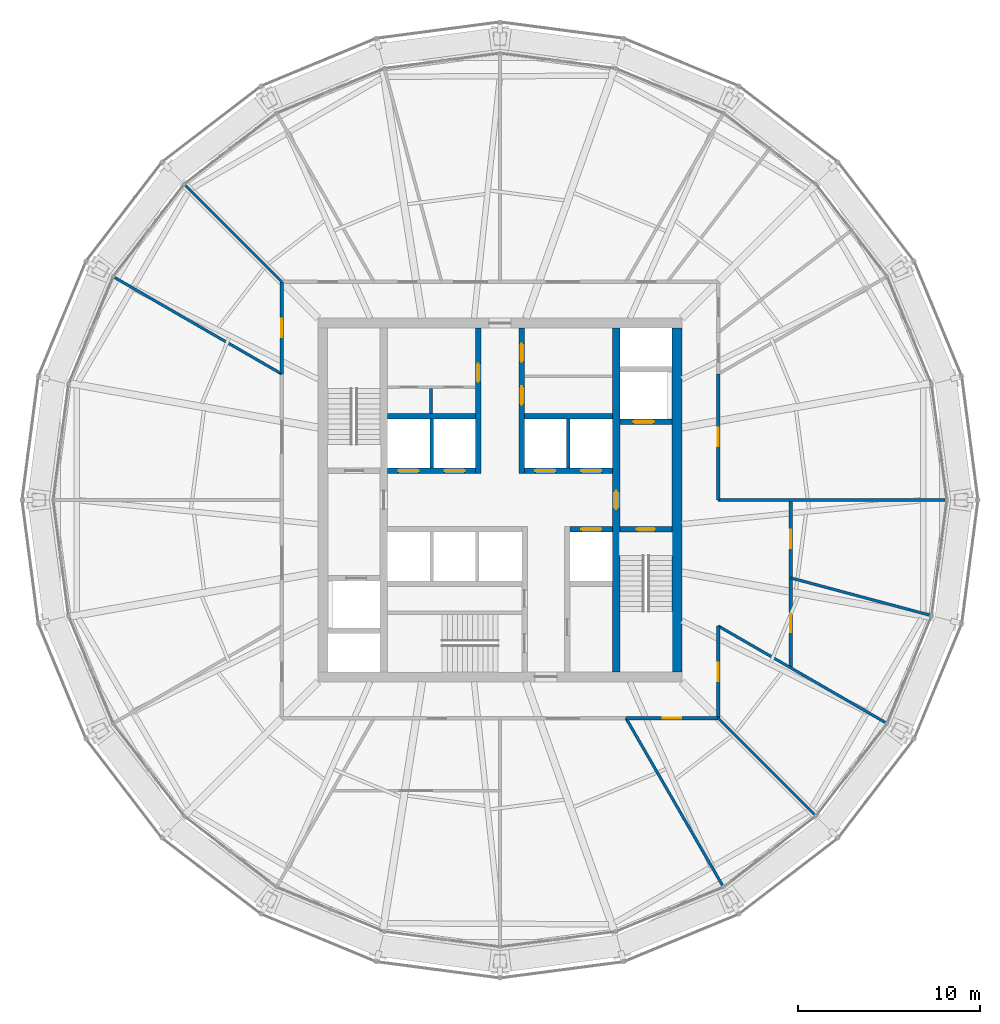
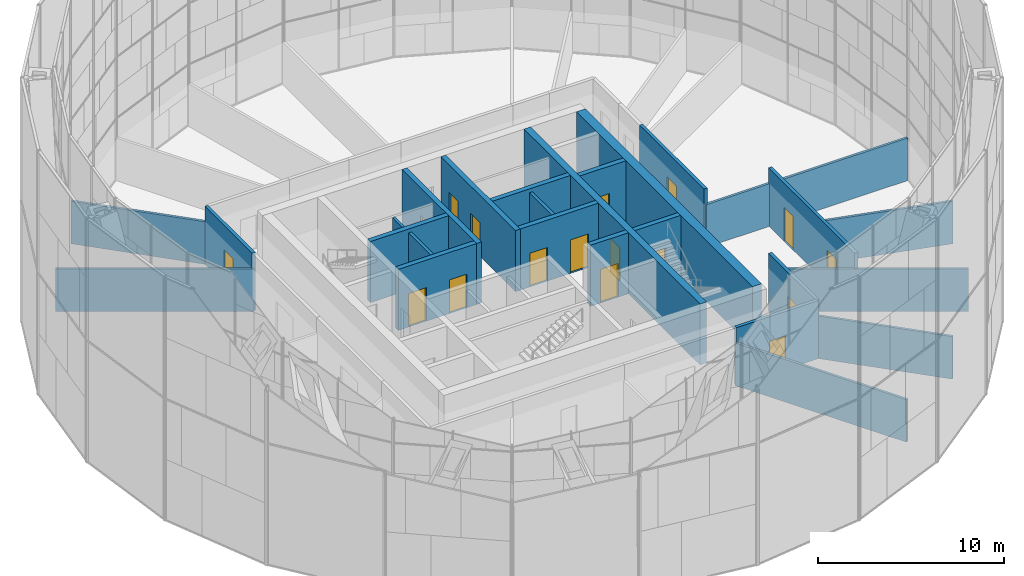
# One storey, part 27 of 30: 26 walls, 17 doors, 17 openings.
"""IFC4 building model written with IfcOpenShell, lengths in metres."""

from ifc_helpers import new_model, si_unit, direction, frame, frame_2d, origin, place, context, subcontext, project, spatial, rectangle, extrude, material, layer, layer_set, type_object, element, fill, save


model = new_model("IFC4")

# Units and contexts
model_context = context("Model", 3, precision=1e-05, world=origin(), true_north=direction((0.0, 1.0)))
body_context = subcontext(model_context, "Body", "Model", "MODEL_VIEW")
ifc_project = project(units=[si_unit("LENGTHUNIT", "METRE"), si_unit("AREAUNIT", "SQUARE_METRE"), si_unit("VOLUMEUNIT", "CUBIC_METRE"), si_unit("PLANEANGLEUNIT", "RADIAN"), si_unit("MASSUNIT", "GRAM", prefix="KILO")], contexts=[model_context])

# Site, building, storey
site_placement = place(None, origin())
site = spatial("IfcSite", under=ifc_project, at=site_placement, CompositionType="ELEMENT")
building_placement = place(site_placement, origin())
building = spatial("IfcBuilding", under=site, at=building_placement, Name="Golbaran Civic Tower", CompositionType="ELEMENT")
storey_placement = place(building_placement, frame((0.0, 0.0, 102.0)))
storey = spatial("IfcBuildingStorey", under=building, at=storey_placement, Name="L24", CompositionType="ELEMENT", Elevation=102.0)

# Wall, opening, door
ifc_material_1 = material(Name="Concrete C50/60", Category="concrete")
ifc_layer_1 = layer(ifc_material_1, 0.39990234375, Name="Concrete C50/60")
ifc_layer_set_1 = layer_set([ifc_layer_1], Name="Concrete C50/60")
wall_type_1 = type_object("IfcWallType", Name="CORE WALL CONCRETE 400", PredefinedType="SOLIDWALL", material=ifc_layer_set_1)
wall_1_placement = place(storey_placement, frame((6.39990234375, 9.449951171875, 0.0), z_axis=(0.0, 0.0, 1.0), x_axis=(0.0, -1.0, 0.0)))
wall_1 = element("IfcWall", 1, at=wall_1_placement, inside=storey, type_object=wall_type_1, Name="Core wall IE L24", PredefinedType="SOLIDWALL", context=body_context, shape_type="SweptSolid", body=[
    extrude(rectangle(XDim=18.89990234375, YDim=0.39990234375, at=frame_2d((9.449951171875, 0.0))), origin(), (0.0, 0.0, 1.0), 4.0),
])
opening_1_placement = place(wall_1_placement, frame((8.949951171875, 0.0, 0.0)))
opening_1 = element("IfcOpeningElement", 2, at=opening_1_placement, cuts=wall_1, Name="Opening L24.FL2", PredefinedType="OPENING", context=body_context, shape_type="SweptSolid", body=[
    extrude(rectangle(XDim=1.0, YDim=2.199951171875, at=frame_2d((0.5, 1.10009765625))), frame((0.0, 0.2099609375, 0.0), z_axis=(0.0, -1.0, 0.0), x_axis=(1.0, 0.0, 0.0)), (0.0, 0.0, 1.0), 0.419921875),
])
ifc_material_2 = material(Name="Timber door set in steel frame", Category="steel")
door_type_1 = type_object("IfcDoorType", Name="STAIR DOOR 1000x2200", OperationType="SINGLE_SWING_LEFT", PredefinedType="DOOR", material=ifc_material_2)
door_1_placement = place(opening_1_placement, origin())
door_1 = element("IfcDoor", 3, at=door_1_placement, inside=storey, type_object=door_type_1, Name="Fire-fighting lobby FL2 door", OperationType="SINGLE_SWING_RIGHT", OverallHeight=2.199951171875, OverallWidth=1.0, PredefinedType="DOOR", context=body_context, shape_type="SweptSolid", body=[
    extrude(rectangle(XDim=1.0, YDim=2.199951171875, at=frame_2d((0.5, 1.10009765625))), frame((0.0, 0.02490234375, 0.0), z_axis=(0.0, -1.0, 0.0), x_axis=(1.0, 0.0, 0.0)), (0.0, 0.0, 1.0), 0.050048828125),
])
fill(opening_1, door_1)

# Wall
ifc_layer_2 = layer(ifc_material_1, 0.550048828125, Name="Concrete C50/60")
ifc_layer_set_2 = layer_set([ifc_layer_2], Name="Concrete C50/60")
wall_type_2 = type_object("IfcWallType", Name="CORE WALL CONCRETE 550", PredefinedType="SOLIDWALL", material=ifc_layer_set_2)
wall_2_placement = place(storey_placement, frame((9.72509765625, -9.449951171875, 0.0), z_axis=(0.0, 0.0, 1.0), x_axis=(0.0, 1.0, 0.0)))
element("IfcWall", 4, at=wall_2_placement, inside=storey, type_object=wall_type_2, Name="Core wall CE L24", PredefinedType="SOLIDWALL", context=body_context, shape_type="SweptSolid", body=[
    extrude(rectangle(XDim=18.89990234375, YDim=0.550048828125, at=frame_2d((9.449951171875, 0.0))), origin(), (0.0, 0.0, 1.0), 4.0),
])

# Wall, opening, door
ifc_material_3 = material(Name="Gypsum board on steel studs, fire-rated", Category="steel")
ifc_layer_3 = layer(ifc_material_3, 0.199951171875, Name="Gypsum board on steel studs, fire-rated")
ifc_layer_set_3 = layer_set([ifc_layer_3], Name="Gypsum board on steel studs, fire-rated")
wall_type_3 = type_object("IfcWallType", Name="CORRIDOR WALL 200", PredefinedType="PARTITIONING", material=ifc_layer_set_3)
wall_3_placement = place(storey_placement, frame((12.0, 0.0, 0.0), z_axis=(0.0, 0.0, 1.0), x_axis=(0.0, 1.0, 0.0)))
wall_3 = element("IfcWall", 5, at=wall_3_placement, inside=storey, type_object=wall_type_3, Name="Corridor wall L24", PredefinedType="PARTITIONING", context=body_context, shape_type="SweptSolid", body=[
    extrude(rectangle(XDim=6.92822265625, YDim=0.199951171875, at=frame_2d((3.464111328125, 0.0))), origin(), (0.0, 0.0, 1.0), 3.800048828125),
])
opening_2_placement = place(wall_3_placement, frame((2.964111328125, 0.0, 0.0)))
opening_2 = element("IfcOpeningElement", 6, at=opening_2_placement, cuts=wall_3, Name="Opening L24.04", PredefinedType="OPENING", context=body_context, shape_type="SweptSolid", body=[
    extrude(rectangle(XDim=1.0, YDim=2.199951171875, at=frame_2d((0.5, 1.10009765625))), frame((0.0, 0.10986328125, 0.0), z_axis=(0.0, -1.0, 0.0), x_axis=(1.0, 0.0, 0.0)), (0.0, 0.0, 1.0), 0.219970703125),
])
door_type_2 = type_object("IfcDoorType", Name="OFFICE DOOR 1000x2200", OperationType="SINGLE_SWING_LEFT", PredefinedType="DOOR", material=ifc_material_2)
door_2_placement = place(opening_2_placement, origin())
door_2 = element("IfcDoor", 7, at=door_2_placement, inside=storey, type_object=door_type_2, Name="Project Room door L24", OperationType="SINGLE_SWING_LEFT", OverallHeight=2.199951171875, OverallWidth=1.0, PredefinedType="DOOR", context=body_context, shape_type="SweptSolid", body=[
    extrude(rectangle(XDim=1.0, YDim=2.199951171875, at=frame_2d((0.5, 1.10009765625))), frame((0.0, 0.02490234375, 0.0), z_axis=(0.0, -1.0, 0.0), x_axis=(1.0, 0.0, 0.0)), (0.0, 0.0, 1.0), 0.050048828125),
])
fill(opening_2, door_2)

wall_4_placement = place(storey_placement, frame((-12.0, 12.0, 0.0), z_axis=(0.0, 0.0, 1.0), x_axis=(0.0, -1.0, 0.0)))
wall_4 = element("IfcWall", 8, at=wall_4_placement, inside=storey, type_object=wall_type_3, Name="Corridor wall L24", PredefinedType="PARTITIONING", context=body_context, shape_type="SweptSolid", body=[
    extrude(rectangle(XDim=5.07177734375, YDim=0.199951171875, at=frame_2d((2.535888671875, 0.0))), origin(), (0.0, 0.0, 1.0), 3.800048828125),
])
opening_3_placement = place(wall_4_placement, frame((2.035888671875, 0.0, 0.0)))
opening_3 = element("IfcOpeningElement", 9, at=opening_3_placement, cuts=wall_4, Name="Opening L24.12", PredefinedType="OPENING", context=body_context, shape_type="SweptSolid", body=[
    extrude(rectangle(XDim=1.0, YDim=2.199951171875, at=frame_2d((0.5, 1.10009765625))), frame((0.0, 0.10986328125, 0.0), z_axis=(0.0, -1.0, 0.0), x_axis=(1.0, 0.0, 0.0)), (0.0, 0.0, 1.0), 0.219970703125),
])
door_3_placement = place(opening_3_placement, origin())
door_3 = element("IfcDoor", 10, at=door_3_placement, inside=storey, type_object=door_type_2, Name="File Room door L24", OperationType="SINGLE_SWING_RIGHT", OverallHeight=2.199951171875, OverallWidth=1.0, PredefinedType="DOOR", context=body_context, shape_type="SweptSolid", body=[
    extrude(rectangle(XDim=1.0, YDim=2.199951171875, at=frame_2d((0.5, 1.10009765625))), frame((0.0, 0.02490234375, 0.0), z_axis=(0.0, -1.0, 0.0), x_axis=(1.0, 0.0, 0.0)), (0.0, 0.0, 1.0), 0.050048828125),
])
fill(opening_3, door_3)

wall_5_placement = place(storey_placement, frame((6.92822265625, -12.0, 0.0), z_axis=(0.0, 0.0, 1.0), x_axis=(1.0, 0.0, 0.0)))
wall_5 = element("IfcWall", 11, at=wall_5_placement, inside=storey, type_object=wall_type_3, Name="Corridor wall L24", PredefinedType="PARTITIONING", context=body_context, shape_type="SweptSolid", body=[
    extrude(rectangle(XDim=5.07177734375, YDim=0.199951171875, at=frame_2d((2.535888671875, 0.0))), origin(), (0.0, 0.0, 1.0), 3.800048828125),
])
opening_4_placement = place(wall_5_placement, frame((2.035888671875, 0.0, 0.0)))
opening_4 = element("IfcOpeningElement", 12, at=opening_4_placement, cuts=wall_5, Name="Opening L24.18", PredefinedType="OPENING", context=body_context, shape_type="SweptSolid", body=[
    extrude(rectangle(XDim=1.0, YDim=2.199951171875, at=frame_2d((0.5, 1.10009765625))), frame((0.0, 0.10986328125, 0.0), z_axis=(0.0, -1.0, 0.0), x_axis=(1.0, 0.0, 0.0)), (0.0, 0.0, 1.0), 0.219970703125),
])
door_4_placement = place(opening_4_placement, origin())
door_4 = element("IfcDoor", 13, at=door_4_placement, inside=storey, type_object=door_type_2, Name="Interview Room door L24", OperationType="SINGLE_SWING_LEFT", OverallHeight=2.199951171875, OverallWidth=1.0, PredefinedType="DOOR", context=body_context, shape_type="SweptSolid", body=[
    extrude(rectangle(XDim=1.0, YDim=2.199951171875, at=frame_2d((0.5, 1.10009765625))), frame((0.0, 0.02490234375, 0.0), z_axis=(0.0, -1.0, 0.0), x_axis=(1.0, 0.0, 0.0)), (0.0, 0.0, 1.0), 0.050048828125),
])
fill(opening_4, door_4)

wall_6_placement = place(storey_placement, frame((12.0, -12.0, 0.0), z_axis=(0.0, 0.0, 1.0), x_axis=(0.0, 1.0, 0.0)))
wall_6 = element("IfcWall", 14, at=wall_6_placement, inside=storey, type_object=wall_type_3, Name="Corridor wall L24", PredefinedType="PARTITIONING", context=body_context, shape_type="SweptSolid", body=[
    extrude(rectangle(XDim=5.07177734375, YDim=0.199951171875, at=frame_2d((2.535888671875, 0.0))), origin(), (0.0, 0.0, 1.0), 3.800048828125),
])
opening_5_placement = place(wall_6_placement, frame((2.035888671875, 0.0, 0.0)))
opening_5 = element("IfcOpeningElement", 15, at=opening_5_placement, cuts=wall_6, Name="Opening L24.19", PredefinedType="OPENING", context=body_context, shape_type="SweptSolid", body=[
    extrude(rectangle(XDim=1.0, YDim=2.199951171875, at=frame_2d((0.5, 1.10009765625))), frame((0.0, 0.10986328125, 0.0), z_axis=(0.0, -1.0, 0.0), x_axis=(1.0, 0.0, 0.0)), (0.0, 0.0, 1.0), 0.219970703125),
])
door_5_placement = place(opening_5_placement, origin())
door_5 = element("IfcDoor", 16, at=door_5_placement, inside=storey, type_object=door_type_2, Name="Print and Copy Room door L24", OperationType="SINGLE_SWING_LEFT", OverallHeight=2.199951171875, OverallWidth=1.0, PredefinedType="DOOR", context=body_context, shape_type="SweptSolid", body=[
    extrude(rectangle(XDim=1.0, YDim=2.199951171875, at=frame_2d((0.5, 1.10009765625))), frame((0.0, 0.02490234375, 0.0), z_axis=(0.0, -1.0, 0.0), x_axis=(1.0, 0.0, 0.0)), (0.0, 0.0, 1.0), 0.050048828125),
])
fill(opening_5, door_5)

# Wall, openings, doors
ifc_material_4 = material(Name="Gypsum board on steel studs, fire-rated, glazed panels", Category="steel")
ifc_layer_4 = layer(ifc_material_4, 0.199951171875, Name="Gypsum board on steel studs, fire-rated, glazed panels")
ifc_layer_set_4 = layer_set([ifc_layer_4], Name="Gypsum board on steel studs, fire-rated, glazed panels")
wall_type_4 = type_object("IfcWallType", Name="GALLERY WALL 200", PredefinedType="PARTITIONING", material=ifc_layer_set_4)
wall_7_placement = place(storey_placement, frame((16.0, -9.237548828125, 0.0), z_axis=(0.0, 0.0, 1.0), x_axis=(0.0, 1.0, 0.0)))
wall_7 = element("IfcWall", 17, at=wall_7_placement, inside=storey, type_object=wall_type_4, Name="Gallery wall L24", PredefinedType="PARTITIONING", context=body_context, shape_type="SweptSolid", body=[
    extrude(rectangle(XDim=9.237548828125, YDim=0.199951171875, at=frame_2d((4.61865234375, 0.0))), origin(), (0.0, 0.0, 1.0), 3.800048828125),
])
opening_6_placement = place(wall_7_placement, frame((1.97509765625, 0.0, 0.0)))
opening_6 = element("IfcOpeningElement", 18, at=opening_6_placement, cuts=wall_7, Name="Opening L24.01", PredefinedType="OPENING", context=body_context, shape_type="SweptSolid", body=[
    extrude(rectangle(XDim=1.0, YDim=2.199951171875, at=frame_2d((0.5, 1.10009765625))), frame((0.0, 0.10986328125, 0.0), z_axis=(0.0, -1.0, 0.0), x_axis=(1.0, 0.0, 0.0)), (0.0, 0.0, 1.0), 0.219970703125),
])
opening_7_placement = place(wall_7_placement, frame((6.593994140625, 0.0, 0.0)))
opening_7 = element("IfcOpeningElement", 19, at=opening_7_placement, cuts=wall_7, Name="Opening L24.02", PredefinedType="OPENING", context=body_context, shape_type="SweptSolid", body=[
    extrude(rectangle(XDim=1.0, YDim=2.199951171875, at=frame_2d((0.5, 1.10009765625))), frame((0.0, 0.10986328125, 0.0), z_axis=(0.0, -1.0, 0.0), x_axis=(1.0, 0.0, 0.0)), (0.0, 0.0, 1.0), 0.219970703125),
])
door_6_placement = place(opening_6_placement, origin())
door_6 = element("IfcDoor", 20, at=door_6_placement, inside=storey, type_object=door_type_2, Name="Office door L24", OperationType="SINGLE_SWING_LEFT", OverallHeight=2.199951171875, OverallWidth=1.0, PredefinedType="DOOR", context=body_context, shape_type="SweptSolid", body=[
    extrude(rectangle(XDim=1.0, YDim=2.199951171875, at=frame_2d((0.5, 1.10009765625))), frame((0.0, 0.02490234375, 0.0), z_axis=(0.0, -1.0, 0.0), x_axis=(1.0, 0.0, 0.0)), (0.0, 0.0, 1.0), 0.050048828125),
])
fill(opening_6, door_6)
door_7_placement = place(opening_7_placement, origin())
door_7 = element("IfcDoor", 21, at=door_7_placement, inside=storey, type_object=door_type_2, Name="Office door L24", OperationType="SINGLE_SWING_RIGHT", OverallHeight=2.199951171875, OverallWidth=1.0, PredefinedType="DOOR", context=body_context, shape_type="SweptSolid", body=[
    extrude(rectangle(XDim=1.0, YDim=2.199951171875, at=frame_2d((0.5, 1.10009765625))), frame((0.0, 0.02490234375, 0.0), z_axis=(0.0, -1.0, 0.0), x_axis=(1.0, 0.0, 0.0)), (0.0, 0.0, 1.0), 0.050048828125),
])
fill(opening_7, door_7)

# Walls
ifc_material_5 = material(Name="Concrete block", Category="concrete")
ifc_layer_5 = layer(ifc_material_5, 0.199951171875, Name="Concrete block")
ifc_layer_set_5 = layer_set([ifc_layer_5], Name="Concrete block")
wall_type_5 = type_object("IfcWallType", Name="LIFT SEPARATOR WALL 200", PredefinedType="SOLIDWALL", material=ifc_layer_set_5)
for number, where, z_axis, x_axis, name in (
    (22, (-3.75, 1.75, 0.0), (0.0, 0.0, 1.0), (0.0, 1.0, 0.0), "Core partition SNW L24"),
    (23, (3.75, 1.75, 0.0), (0.0, 0.0, 1.0), (0.0, 1.0, 0.0), "Core partition SNE L24"),
):
    element("IfcWall", number, at=place(storey_placement, frame(where, z_axis=z_axis, x_axis=x_axis)), inside=storey, type_object=wall_type_5, Name=name, PredefinedType="SOLIDWALL", context=body_context, shape_type="SweptSolid", body=[
        extrude(rectangle(XDim=2.699951171875, YDim=0.199951171875, at=frame_2d((1.35009765625, 0.0))), origin(), (0.0, 0.0, 1.0), 3.75),
    ])
ifc_material_6 = material(Name="Gypsum board on steel studs", Category="steel")
ifc_layer_6 = layer(ifc_material_6, 0.14990234375, Name="Gypsum board on steel studs")
ifc_layer_set_6 = layer_set([ifc_layer_6], Name="Gypsum board on steel studs")
wall_type_6 = type_object("IfcWallType", Name="OFFICE PARTITION 150", PredefinedType="PARTITIONING", material=ifc_layer_set_6)
wall_8_placement = place(storey_placement, frame((12.0, -6.92822265625, 0.0), z_axis=(0.0, 0.0, 1.0), x_axis=(0.866024197053, -0.500002090115, 0.0)))
element("IfcWall", 24, at=wall_8_placement, inside=storey, type_object=wall_type_6, Name="Partition 330 L24", PredefinedType="PARTITIONING", context=body_context, shape_type="SweptSolid", body=[
    extrude(rectangle(XDim=10.630859375, YDim=0.14990234375, at=frame_2d((5.3154296875, 0.0))), origin(), (0.0, 0.0, 1.0), 2.7900390625),
])
wall_9_placement = place(storey_placement, frame((12.0, 0.0, 0.0), z_axis=(0.0, 0.0, 1.0), x_axis=(1.0, 0.0, 0.0)))
element("IfcWall", 25, at=wall_9_placement, inside=storey, type_object=wall_type_6, Name="Partition 0 L24", PredefinedType="PARTITIONING", context=body_context, shape_type="SweptSolid", body=[
    extrude(rectangle(XDim=12.4873046875, YDim=0.14990234375, at=frame_2d((6.24365234375, 0.0))), origin(), (0.0, 0.0, 1.0), 2.7900390625),
])
wall_10_placement = place(storey_placement, frame((-12.0, 12.0, 0.0), z_axis=(0.0, 0.0, 1.0), x_axis=(-0.707106781187, 0.707106781187, 0.0)))
element("IfcWall", 26, at=wall_10_placement, inside=storey, type_object=wall_type_6, Name="Partition 135 L24", PredefinedType="PARTITIONING", context=body_context, shape_type="SweptSolid", body=[
    extrude(rectangle(XDim=7.516845703125, YDim=0.14990234375, at=frame_2d((3.75830078125, 0.0))), origin(), (0.0, 0.0, 1.0), 2.7900390625),
])
for number, where, z_axis, x_axis, name in (
    (27, (-12.0, 6.92822265625, 0.0), (0.0, 0.0, 1.0), (-0.866024197053, 0.500002090115, 0.0), "Partition 150 L24"),
    (28, (6.92822265625, -12.0, 0.0), (0.0, 0.0, 1.0), (0.500002090115, -0.866024197053, 0.0), "Partition 300 L24"),
):
    element("IfcWall", number, at=place(storey_placement, frame(where, z_axis=z_axis, x_axis=x_axis)), inside=storey, type_object=wall_type_6, Name=name, PredefinedType="PARTITIONING", context=body_context, shape_type="SweptSolid", body=[
        extrude(rectangle(XDim=10.630859375, YDim=0.14990234375, at=frame_2d((5.3154296875, 0.0))), origin(), (0.0, 0.0, 1.0), 2.7900390625),
    ])
wall_11_placement = place(storey_placement, frame((12.0, -12.0, 0.0), z_axis=(0.0, 0.0, 1.0), x_axis=(0.707106781187, -0.707106781187, 0.0)))
element("IfcWall", 29, at=wall_11_placement, inside=storey, type_object=wall_type_6, Name="Partition 315 L24", PredefinedType="PARTITIONING", context=body_context, shape_type="SweptSolid", body=[
    extrude(rectangle(XDim=7.516845703125, YDim=0.14990234375, at=frame_2d((3.75830078125, 0.0))), origin(), (0.0, 0.0, 1.0), 2.7900390625),
])
wall_12_placement = place(storey_placement, frame((16.0, -4.287109375, 0.0), z_axis=(0.0, 0.0, 1.0), x_axis=(0.965926869261, -0.258815152648, 0.0)))
element("IfcWall", 30, at=wall_12_placement, inside=storey, type_object=wall_type_6, Name="Partition 345 L24", PredefinedType="PARTITIONING", context=body_context, shape_type="SweptSolid", body=[
    extrude(rectangle(XDim=7.9228515625, YDim=0.14990234375, at=frame_2d((3.96142578125, 0.0))), origin(), (0.0, 0.0, 1.0), 2.7900390625),
])

# Wall, openings, doors
ifc_layer_7 = layer(ifc_material_1, 0.300048828125, Name="Concrete C50/60")
ifc_layer_set_7 = layer_set([ifc_layer_7], Name="Concrete C50/60")
wall_type_7 = type_object("IfcWallType", Name="SHAFT WALL CONCRETE 300", PredefinedType="SOLIDWALL", material=ifc_layer_set_7)
wall_13_placement = place(storey_placement, frame((-6.199951171875, 1.60009765625, 0.0), z_axis=(0.0, 0.0, 1.0), x_axis=(1.0, 0.0, 0.0)))
wall_13 = element("IfcWall", 31, at=wall_13_placement, inside=storey, type_object=wall_type_7, Name="Core wall FNW L24", PredefinedType="SOLIDWALL", context=body_context, shape_type="SweptSolid", body=[
    extrude(rectangle(XDim=4.849853515625, YDim=0.300048828125, at=frame_2d((2.4248046875, 0.0))), origin(), (0.0, 0.0, 1.0), 4.0),
])
opening_8_placement = place(wall_13_placement, frame((0.625, 0.0, 0.0)))
opening_8 = element("IfcOpeningElement", 32, at=opening_8_placement, cuts=wall_13, Name="Opening L24.LD-Z1M", PredefinedType="OPENING", context=body_context, shape_type="SweptSolid", body=[
    extrude(rectangle(XDim=1.10009765625, YDim=2.199951171875, at=frame_2d((0.550048828125, 1.10009765625))), frame((0.0, 0.159912109375, 0.0), z_axis=(0.0, -1.0, 0.0), x_axis=(1.0, 0.0, 0.0)), (0.0, 0.0, 1.0), 0.320068359375),
])
opening_9_placement = place(wall_13_placement, frame((3.14990234375, 0.0, 0.0)))
opening_9 = element("IfcOpeningElement", 33, at=opening_9_placement, cuts=wall_13, Name="Opening L24.LD-Z2M", PredefinedType="OPENING", context=body_context, shape_type="SweptSolid", body=[
    extrude(rectangle(XDim=1.10009765625, YDim=2.199951171875, at=frame_2d((0.550048828125, 1.10009765625))), frame((0.0, 0.159912109375, 0.0), z_axis=(0.0, -1.0, 0.0), x_axis=(1.0, 0.0, 0.0)), (0.0, 0.0, 1.0), 0.320068359375),
])
ifc_material_7 = material(Name="Stainless steel", Category="steel")
door_type_3 = type_object("IfcDoorType", Name="LIFT LANDING DOOR 1100x2200", OperationType="SLIDING_TO_LEFT", PredefinedType="DOOR", material=ifc_material_7)
door_8_placement = place(opening_8_placement, origin())
door_8 = element("IfcDoor", 34, at=door_8_placement, inside=storey, type_object=door_type_3, Name="Lift landing door Z1M", OperationType="SLIDING_TO_LEFT", OverallHeight=2.199951171875, OverallWidth=1.10009765625, PredefinedType="DOOR", context=body_context, shape_type="SweptSolid", body=[
    extrude(rectangle(XDim=1.10009765625, YDim=2.199951171875, at=frame_2d((0.550048828125, 1.10009765625))), frame((0.0, 0.02490234375, 0.0), z_axis=(0.0, -1.0, 0.0), x_axis=(1.0, 0.0, 0.0)), (0.0, 0.0, 1.0), 0.050048828125),
])
fill(opening_8, door_8)
door_9_placement = place(opening_9_placement, origin())
door_9 = element("IfcDoor", 35, at=door_9_placement, inside=storey, type_object=door_type_3, Name="Lift landing door Z2M", OperationType="SLIDING_TO_LEFT", OverallHeight=2.199951171875, OverallWidth=1.10009765625, PredefinedType="DOOR", context=body_context, shape_type="SweptSolid", body=[
    extrude(rectangle(XDim=1.10009765625, YDim=2.199951171875, at=frame_2d((0.550048828125, 1.10009765625))), frame((0.0, 0.02490234375, 0.0), z_axis=(0.0, -1.0, 0.0), x_axis=(1.0, 0.0, 0.0)), (0.0, 0.0, 1.0), 0.050048828125),
])
fill(opening_9, door_9)

wall_14_placement = place(storey_placement, frame((1.35009765625, 1.60009765625, 0.0), z_axis=(0.0, 0.0, 1.0), x_axis=(1.0, 0.0, 0.0)))
wall_14 = element("IfcWall", 36, at=wall_14_placement, inside=storey, type_object=wall_type_7, Name="Core wall FNE L24", PredefinedType="SOLIDWALL", context=body_context, shape_type="SweptSolid", body=[
    extrude(rectangle(XDim=4.849853515625, YDim=0.300048828125, at=frame_2d((2.4248046875, 0.0))), origin(), (0.0, 0.0, 1.0), 4.0),
])
opening_10_placement = place(wall_14_placement, frame((0.60009765625, 0.0, 0.0)))
opening_10 = element("IfcOpeningElement", 37, at=opening_10_placement, cuts=wall_14, Name="Opening L24.LD-Z3M", PredefinedType="OPENING", context=body_context, shape_type="SweptSolid", body=[
    extrude(rectangle(XDim=1.10009765625, YDim=2.199951171875, at=frame_2d((0.550048828125, 1.10009765625))), frame((0.0, 0.159912109375, 0.0), z_axis=(0.0, -1.0, 0.0), x_axis=(1.0, 0.0, 0.0)), (0.0, 0.0, 1.0), 0.320068359375),
])
opening_11_placement = place(wall_14_placement, frame((3.125, 0.0, 0.0)))
opening_11 = element("IfcOpeningElement", 38, at=opening_11_placement, cuts=wall_14, Name="Opening L24.LD-Z4M", PredefinedType="OPENING", context=body_context, shape_type="SweptSolid", body=[
    extrude(rectangle(XDim=1.10009765625, YDim=2.199951171875, at=frame_2d((0.550048828125, 1.10009765625))), frame((0.0, 0.159912109375, 0.0), z_axis=(0.0, -1.0, 0.0), x_axis=(1.0, 0.0, 0.0)), (0.0, 0.0, 1.0), 0.320068359375),
])
door_10_placement = place(opening_10_placement, origin())
door_10 = element("IfcDoor", 39, at=door_10_placement, inside=storey, type_object=door_type_3, Name="Lift landing door Z3M", OperationType="SLIDING_TO_LEFT", OverallHeight=2.199951171875, OverallWidth=1.10009765625, PredefinedType="DOOR", context=body_context, shape_type="SweptSolid", body=[
    extrude(rectangle(XDim=1.10009765625, YDim=2.199951171875, at=frame_2d((0.550048828125, 1.10009765625))), frame((0.0, 0.02490234375, 0.0), z_axis=(0.0, -1.0, 0.0), x_axis=(1.0, 0.0, 0.0)), (0.0, 0.0, 1.0), 0.050048828125),
])
fill(opening_10, door_10)
door_11_placement = place(opening_11_placement, origin())
door_11 = element("IfcDoor", 40, at=door_11_placement, inside=storey, type_object=door_type_3, Name="Lift landing door Z4M", OperationType="SLIDING_TO_LEFT", OverallHeight=2.199951171875, OverallWidth=1.10009765625, PredefinedType="DOOR", context=body_context, shape_type="SweptSolid", body=[
    extrude(rectangle(XDim=1.10009765625, YDim=2.199951171875, at=frame_2d((0.550048828125, 1.10009765625))), frame((0.0, 0.02490234375, 0.0), z_axis=(0.0, -1.0, 0.0), x_axis=(1.0, 0.0, 0.0)), (0.0, 0.0, 1.0), 0.050048828125),
])
fill(opening_11, door_11)

# Walls
for number, where, z_axis, x_axis, name in (
    (41, (-6.199951171875, 4.60009765625, 0.0), (0.0, 0.0, 1.0), (1.0, 0.0, 0.0), "Core wall BNW L24"),
    (42, (1.35009765625, 4.60009765625, 0.0), (0.0, 0.0, 1.0), (1.0, 0.0, 0.0), "Core wall BNE L24"),
):
    element("IfcWall", number, at=place(storey_placement, frame(where, z_axis=z_axis, x_axis=x_axis)), inside=storey, type_object=wall_type_7, Name=name, PredefinedType="SOLIDWALL", context=body_context, shape_type="SweptSolid", body=[
        extrude(rectangle(XDim=4.849853515625, YDim=0.300048828125, at=frame_2d((2.4248046875, 0.0))), origin(), (0.0, 0.0, 1.0), 4.0),
    ])

# Wall, opening, door
wall_15_placement = place(storey_placement, frame((-1.199951171875, 1.449951171875, 0.0), z_axis=(0.0, 0.0, 1.0), x_axis=(0.0, 1.0, 0.0)))
wall_15 = element("IfcWall", 43, at=wall_15_placement, inside=storey, type_object=wall_type_7, Name="Core wall PNW L24", PredefinedType="SOLIDWALL", context=body_context, shape_type="SweptSolid", body=[
    extrude(rectangle(XDim=8.0, YDim=0.300048828125, at=frame_2d((4.0, 0.0))), origin(), (0.0, 0.0, 1.0), 4.0),
])
opening_12_placement = place(wall_15_placement, frame((5.050048828125, 0.0, 0.0)))
opening_12 = element("IfcOpeningElement", 44, at=opening_12_placement, cuts=wall_15, Name="Opening L24.WCM", PredefinedType="OPENING", context=body_context, shape_type="SweptSolid", body=[
    extrude(rectangle(XDim=1.0, YDim=2.199951171875, at=frame_2d((0.5, 1.10009765625))), frame((0.0, 0.159912109375, 0.0), z_axis=(0.0, -1.0, 0.0), x_axis=(1.0, 0.0, 0.0)), (0.0, 0.0, 1.0), 0.320068359375),
])
door_type_4 = type_object("IfcDoorType", Name="TOILET DOOR 1000x2200", OperationType="SINGLE_SWING_LEFT", PredefinedType="DOOR", material=ifc_material_2)
door_12_placement = place(opening_12_placement, origin())
door_12 = element("IfcDoor", 45, at=door_12_placement, inside=storey, type_object=door_type_4, Name="North-west toilet block door", OperationType="SINGLE_SWING_RIGHT", OverallHeight=2.199951171875, OverallWidth=1.0, PredefinedType="DOOR", context=body_context, shape_type="SweptSolid", body=[
    extrude(rectangle(XDim=1.0, YDim=2.199951171875, at=frame_2d((0.5, 1.10009765625))), frame((0.0, 0.02490234375, 0.0), z_axis=(0.0, -1.0, 0.0), x_axis=(1.0, 0.0, 0.0)), (0.0, 0.0, 1.0), 0.050048828125),
])
fill(opening_12, door_12)

# Wall, openings, doors
wall_16_placement = place(storey_placement, frame((1.199951171875, 1.449951171875, 0.0), z_axis=(0.0, 0.0, 1.0), x_axis=(0.0, 1.0, 0.0)))
wall_16 = element("IfcWall", 46, at=wall_16_placement, inside=storey, type_object=wall_type_7, Name="Core wall PNE L24", PredefinedType="SOLIDWALL", context=body_context, shape_type="SweptSolid", body=[
    extrude(rectangle(XDim=8.0, YDim=0.300048828125, at=frame_2d((4.0, 0.0))), origin(), (0.0, 0.0, 1.0), 4.0),
])
opening_13_placement = place(wall_16_placement, frame((3.800048828125, 0.0, 0.0)))
opening_13 = element("IfcOpeningElement", 47, at=opening_13_placement, cuts=wall_16, Name="Opening L24.WCA", PredefinedType="OPENING", context=body_context, shape_type="SweptSolid", body=[
    extrude(rectangle(XDim=1.0, YDim=2.199951171875, at=frame_2d((0.5, 1.10009765625))), frame((0.0, 0.159912109375, 0.0), z_axis=(0.0, -1.0, 0.0), x_axis=(1.0, 0.0, 0.0)), (0.0, 0.0, 1.0), 0.320068359375),
])
opening_14_placement = place(wall_16_placement, frame((6.14990234375, 0.0, 0.0)))
opening_14 = element("IfcOpeningElement", 48, at=opening_14_placement, cuts=wall_16, Name="Opening L24.WCF", PredefinedType="OPENING", context=body_context, shape_type="SweptSolid", body=[
    extrude(rectangle(XDim=1.0, YDim=2.199951171875, at=frame_2d((0.5, 1.10009765625))), frame((0.0, 0.159912109375, 0.0), z_axis=(0.0, -1.0, 0.0), x_axis=(1.0, 0.0, 0.0)), (0.0, 0.0, 1.0), 0.320068359375),
])
door_13_placement = place(opening_13_placement, origin())
door_13 = element("IfcDoor", 49, at=door_13_placement, inside=storey, type_object=door_type_4, Name="Accessible WC door", OperationType="SINGLE_SWING_RIGHT", OverallHeight=2.199951171875, OverallWidth=1.0, PredefinedType="DOOR", context=body_context, shape_type="SweptSolid", body=[
    extrude(rectangle(XDim=1.0, YDim=2.199951171875, at=frame_2d((0.5, 1.10009765625))), frame((0.0, 0.02490234375, 0.0), z_axis=(0.0, -1.0, 0.0), x_axis=(1.0, 0.0, 0.0)), (0.0, 0.0, 1.0), 0.050048828125),
])
fill(opening_13, door_13)
door_14_placement = place(opening_14_placement, origin())
door_14 = element("IfcDoor", 50, at=door_14_placement, inside=storey, type_object=door_type_4, Name="North-east toilet block door", OperationType="SINGLE_SWING_RIGHT", OverallHeight=2.199951171875, OverallWidth=1.0, PredefinedType="DOOR", context=body_context, shape_type="SweptSolid", body=[
    extrude(rectangle(XDim=1.0, YDim=2.199951171875, at=frame_2d((0.5, 1.10009765625))), frame((0.0, 0.02490234375, 0.0), z_axis=(0.0, -1.0, 0.0), x_axis=(1.0, 0.0, 0.0)), (0.0, 0.0, 1.0), 0.050048828125),
])
fill(opening_14, door_14)

# Wall, opening, door
wall_17_placement = place(storey_placement, frame((3.85009765625, -1.60009765625, 0.0), z_axis=(0.0, 0.0, 1.0), x_axis=(1.0, 0.0, 0.0)))
wall_17 = element("IfcWall", 51, at=wall_17_placement, inside=storey, type_object=wall_type_7, Name="Core wall FSE L24", PredefinedType="SOLIDWALL", context=body_context, shape_type="SweptSolid", body=[
    extrude(rectangle(XDim=2.349853515625, YDim=0.300048828125, at=frame_2d((1.1748046875, 0.0))), origin(), (0.0, 0.0, 1.0), 4.0),
])
opening_15_placement = place(wall_17_placement, frame((0.625, 0.0, 0.0)))
opening_15 = element("IfcOpeningElement", 52, at=opening_15_placement, cuts=wall_17, Name="Opening L24.LD-V1", PredefinedType="OPENING", context=body_context, shape_type="SweptSolid", body=[
    extrude(rectangle(XDim=1.10009765625, YDim=2.199951171875, at=frame_2d((0.550048828125, 1.10009765625))), frame((0.0, 0.159912109375, 0.0), z_axis=(0.0, -1.0, 0.0), x_axis=(1.0, 0.0, 0.0)), (0.0, 0.0, 1.0), 0.320068359375),
])
door_15_placement = place(opening_15_placement, origin())
door_15 = element("IfcDoor", 53, at=door_15_placement, inside=storey, type_object=door_type_3, Name="Lift landing door V1", OperationType="SLIDING_TO_LEFT", OverallHeight=2.199951171875, OverallWidth=1.10009765625, PredefinedType="DOOR", context=body_context, shape_type="SweptSolid", body=[
    extrude(rectangle(XDim=1.10009765625, YDim=2.199951171875, at=frame_2d((0.550048828125, 1.10009765625))), frame((0.0, 0.02490234375, 0.0), z_axis=(0.0, -1.0, 0.0), x_axis=(1.0, 0.0, 0.0)), (0.0, 0.0, 1.0), 0.050048828125),
])
fill(opening_15, door_15)

wall_18_placement = place(storey_placement, frame((6.60009765625, -1.60009765625, 0.0), z_axis=(0.0, 0.0, 1.0), x_axis=(1.0, 0.0, 0.0)))
wall_18 = element("IfcWall", 54, at=wall_18_placement, inside=storey, type_object=wall_type_7, Name="Core wall XE1 L24", PredefinedType="SOLIDWALL", context=body_context, shape_type="SweptSolid", body=[
    extrude(rectangle(XDim=2.849853515625, YDim=0.300048828125, at=frame_2d((1.4248046875, 0.0))), origin(), (0.0, 0.0, 1.0), 4.0),
])
opening_16_placement = place(wall_18_placement, frame((0.925048828125, 0.0, 0.0)))
opening_16 = element("IfcOpeningElement", 55, at=opening_16_placement, cuts=wall_18, Name="Opening L24.S2", PredefinedType="OPENING", context=body_context, shape_type="SweptSolid", body=[
    extrude(rectangle(XDim=1.0, YDim=2.199951171875, at=frame_2d((0.5, 1.10009765625))), frame((0.0, 0.159912109375, 0.0), z_axis=(0.0, -1.0, 0.0), x_axis=(1.0, 0.0, 0.0)), (0.0, 0.0, 1.0), 0.320068359375),
])
door_16_placement = place(opening_16_placement, origin())
door_16 = element("IfcDoor", 56, at=door_16_placement, inside=storey, type_object=door_type_1, Name="Stair S2 door", OperationType="SINGLE_SWING_LEFT", OverallHeight=2.199951171875, OverallWidth=1.0, PredefinedType="DOOR", context=body_context, shape_type="SweptSolid", body=[
    extrude(rectangle(XDim=1.0, YDim=2.199951171875, at=frame_2d((0.5, 1.10009765625))), frame((0.0, 0.02490234375, 0.0), z_axis=(0.0, -1.0, 0.0), x_axis=(1.0, 0.0, 0.0)), (0.0, 0.0, 1.0), 0.050048828125),
])
fill(opening_16, door_16)

wall_19_placement = place(storey_placement, frame((6.60009765625, 4.300048828125, 0.0), z_axis=(0.0, 0.0, 1.0), x_axis=(1.0, 0.0, 0.0)))
wall_19 = element("IfcWall", 57, at=wall_19_placement, inside=storey, type_object=wall_type_7, Name="Core wall XE2 L24", PredefinedType="SOLIDWALL", context=body_context, shape_type="SweptSolid", body=[
    extrude(rectangle(XDim=2.849853515625, YDim=0.300048828125, at=frame_2d((1.4248046875, 0.0))), origin(), (0.0, 0.0, 1.0), 4.0),
])
opening_17_placement = place(wall_19_placement, frame((0.75, 0.0, 0.0)))
opening_17 = element("IfcOpeningElement", 58, at=opening_17_placement, cuts=wall_19, Name="Opening L24.LD-F2", PredefinedType="OPENING", context=body_context, shape_type="SweptSolid", body=[
    extrude(rectangle(XDim=1.10009765625, YDim=2.199951171875, at=frame_2d((0.550048828125, 1.10009765625))), frame((0.0, 0.159912109375, 0.0), z_axis=(0.0, -1.0, 0.0), x_axis=(1.0, 0.0, 0.0)), (0.0, 0.0, 1.0), 0.320068359375),
])
door_17_placement = place(opening_17_placement, origin())
door_17 = element("IfcDoor", 59, at=door_17_placement, inside=storey, type_object=door_type_3, Name="Lift landing door F2", OperationType="SLIDING_TO_LEFT", OverallHeight=2.199951171875, OverallWidth=1.10009765625, PredefinedType="DOOR", context=body_context, shape_type="SweptSolid", body=[
    extrude(rectangle(XDim=1.10009765625, YDim=2.199951171875, at=frame_2d((0.550048828125, 1.10009765625))), frame((0.0, 0.02490234375, 0.0), z_axis=(0.0, -1.0, 0.0), x_axis=(1.0, 0.0, 0.0)), (0.0, 0.0, 1.0), 0.050048828125),
])
fill(opening_17, door_17)

# Wall
ifc_material_8 = material(Name="Moisture-resistant gypsum board on steel studs", Category="steel")
ifc_layer_8 = layer(ifc_material_8, 0.14990234375, Name="Moisture-resistant gypsum board on steel studs")
ifc_layer_set_8 = layer_set([ifc_layer_8], Name="Moisture-resistant gypsum board on steel studs")
wall_type_8 = type_object("IfcWallType", Name="TOILET BLOCK PARTITION 150", PredefinedType="PARTITIONING", material=ifc_layer_set_8)
wall_20_placement = place(storey_placement, frame((-3.800048828125, 4.75, 0.0), z_axis=(0.0, 0.0, 1.0), x_axis=(0.0, 1.0, 0.0)))
element("IfcWall", 60, at=wall_20_placement, inside=storey, type_object=wall_type_8, Name="Toilet block partition MST L24", PredefinedType="PARTITIONING", context=body_context, shape_type="SweptSolid", body=[
    extrude(rectangle(XDim=1.375, YDim=0.14990234375, at=frame_2d((0.6875, 0.0))), origin(), (0.0, 0.0, 1.0), 3.75),
])

save(model, "model.ifc")
